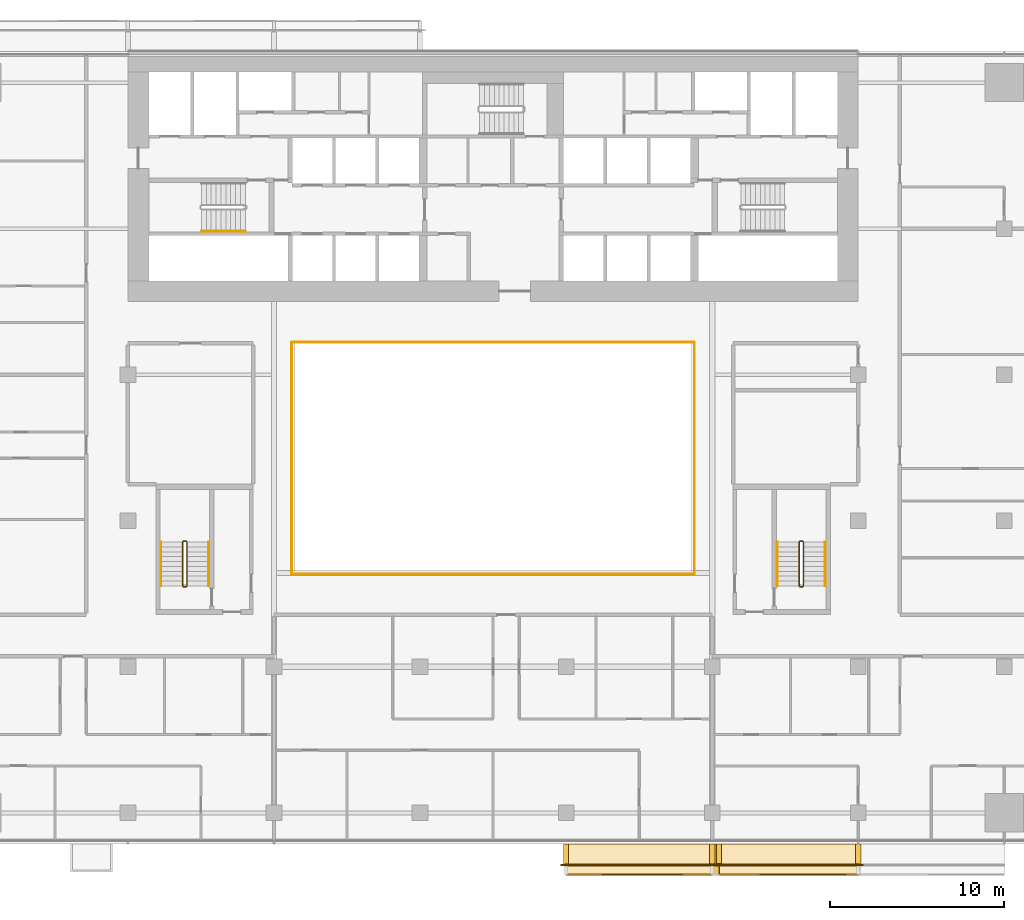
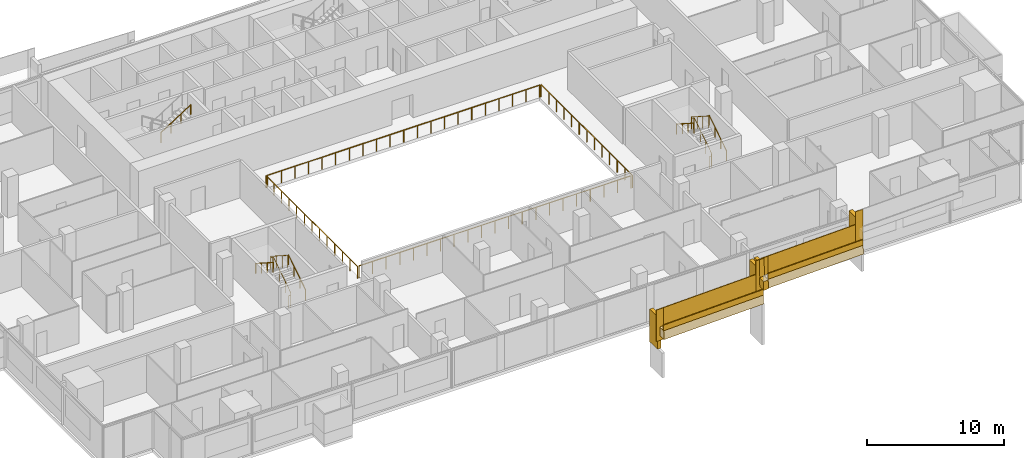
# One storey, part 25 of 27: 18 railings, 9 coverings.
"""IFC4 building model written with IfcOpenShell, lengths in metres."""

from ifc_helpers import new_model, si_unit, direction, frame, origin, origin_2d, place, context, subcontext, project, spatial, polyline, rectangle, circle, outline, extrude, material, layer, layer_set, type_object, element, save


model = new_model("IFC4")

# Units and contexts
model_context = context("Model", 3, precision=1e-05, world=origin(), true_north=direction((0.0, 1.0)))
body_context = subcontext(model_context, "Body", "Model", "MODEL_VIEW")
ifc_project = project(units=[si_unit("LENGTHUNIT", "METRE"), si_unit("AREAUNIT", "SQUARE_METRE"), si_unit("VOLUMEUNIT", "CUBIC_METRE"), si_unit("PLANEANGLEUNIT", "RADIAN"), si_unit("MASSUNIT", "GRAM", prefix="KILO")], contexts=[model_context])

# Site, building, storey
site_placement = place(None, origin())
site = spatial("IfcSite", under=ifc_project, at=site_placement, CompositionType="ELEMENT")
building_placement = place(site_placement, origin())
building = spatial("IfcBuilding", under=site, at=building_placement, Name="Saffron Gate Tower", CompositionType="ELEMENT")
storey_placement = place(building_placement, frame((0.0, 0.0, 66.0)))
storey = spatial("IfcBuildingStorey", under=building, at=storey_placement, Name="L15", CompositionType="ELEMENT", Elevation=66.0)

# Railings
ifc_material_1 = material(Name="Stainless steel and laminated glass", Category="steel")
railing_type_1 = type_object("IfcRailingType", Name="AG1 Atrium edge guard 1100", PredefinedType="GUARDRAIL", material=ifc_material_1)
railing_1_placement = place(storey_placement, frame((76.02001953125, 45.5400390625, 0.0)))
element("IfcRailing", 1, at=railing_1_placement, inside=storey, type_object=railing_type_1, Name="Guard A3-1", PredefinedType="GUARDRAIL", context=body_context, shape_type="SweptSolid", body=[
    extrude(circle(Radius=0.02392578125, at=origin_2d()), frame((0.0, 0.0, 1.076171875), z_axis=(0.0, 1.0, 0.0), x_axis=(-1.0, 0.0, 0.0)), (0.0, 0.0, 1.0), 13.320068359375),
    extrude(circle(Radius=0.02099609375, at=origin_2d()), origin(), (0.0, 0.0, 1.0), 1.052001953125),
    extrude(circle(Radius=0.02099609375, at=origin_2d()), frame((0.0, 1.110107421875, 0.0)), (0.0, 0.0, 1.0), 1.052001953125),
    extrude(circle(Radius=0.02099609375, at=origin_2d()), frame((0.0, 2.219970703125, 0.0)), (0.0, 0.0, 1.0), 1.052001953125),
    extrude(circle(Radius=0.02099609375, at=origin_2d()), frame((0.0, 3.330078125, 0.0)), (0.0, 0.0, 1.0), 1.052001953125),
    extrude(circle(Radius=0.02099609375, at=origin_2d()), frame((0.0, 4.43994140625, 0.0)), (0.0, 0.0, 1.0), 1.052001953125),
    extrude(circle(Radius=0.02099609375, at=origin_2d()), frame((0.0, 5.550048828125, 0.0)), (0.0, 0.0, 1.0), 1.052001953125),
    extrude(circle(Radius=0.02099609375, at=origin_2d()), frame((0.0, 6.66015625, 0.0)), (0.0, 0.0, 1.0), 1.052001953125),
    extrude(circle(Radius=0.02099609375, at=origin_2d()), frame((0.0, 7.77001953125, 0.0)), (0.0, 0.0, 1.0), 1.052001953125),
    extrude(circle(Radius=0.02099609375, at=origin_2d()), frame((0.0, 8.880126953125, 0.0)), (0.0, 0.0, 1.0), 1.052001953125),
    extrude(circle(Radius=0.02099609375, at=origin_2d()), frame((0.0, 9.989990234375, 0.0)), (0.0, 0.0, 1.0), 1.052001953125),
    extrude(circle(Radius=0.02099609375, at=origin_2d()), frame((0.0, 11.10009765625, 0.0)), (0.0, 0.0, 1.0), 1.052001953125),
    extrude(circle(Radius=0.02099609375, at=origin_2d()), frame((0.0, 12.2099609375, 0.0)), (0.0, 0.0, 1.0), 1.052001953125),
    extrude(circle(Radius=0.02099609375, at=origin_2d()), frame((0.0, 13.320068359375, 0.0)), (0.0, 0.0, 1.0), 1.052001953125),
])
railing_2_placement = place(storey_placement, frame((76.139892578125, 58.860107421875, 0.0)))
element("IfcRailing", 2, at=railing_2_placement, inside=storey, type_object=railing_type_1, Name="Guard A3-2", PredefinedType="GUARDRAIL", context=body_context, shape_type="SweptSolid", body=[
    extrude(circle(Radius=0.02392578125, at=origin_2d()), frame((0.0, 0.0, 1.076171875), z_axis=(1.0, 0.0, 0.0), x_axis=(0.0, 1.0, 0.0)), (0.0, 0.0, 1.0), 22.920166015625),
    extrude(circle(Radius=0.02099609375, at=origin_2d()), origin(), (0.0, 0.0, 1.0), 1.052001953125),
    extrude(circle(Radius=0.02099609375, at=origin_2d()), frame((1.14599609375, 0.0, 0.0)), (0.0, 0.0, 1.0), 1.052001953125),
    extrude(circle(Radius=0.02099609375, at=origin_2d()), frame((2.2919921875, 0.0, 0.0)), (0.0, 0.0, 1.0), 1.052001953125),
    extrude(circle(Radius=0.02099609375, at=origin_2d()), frame((3.43798828125, 0.0, 0.0)), (0.0, 0.0, 1.0), 1.052001953125),
    extrude(circle(Radius=0.02099609375, at=origin_2d()), frame((4.583984375, 0.0, 0.0)), (0.0, 0.0, 1.0), 1.052001953125),
    extrude(circle(Radius=0.02099609375, at=origin_2d()), frame((5.72998046875, 0.0, 0.0)), (0.0, 0.0, 1.0), 1.052001953125),
    extrude(circle(Radius=0.02099609375, at=origin_2d()), frame((6.8759765625, 0.0, 0.0)), (0.0, 0.0, 1.0), 1.052001953125),
    extrude(circle(Radius=0.02099609375, at=origin_2d()), frame((8.02197265625, 0.0, 0.0)), (0.0, 0.0, 1.0), 1.052001953125),
    extrude(circle(Radius=0.02099609375, at=origin_2d()), frame((9.16796875, 0.0, 0.0)), (0.0, 0.0, 1.0), 1.052001953125),
    extrude(circle(Radius=0.02099609375, at=origin_2d()), frame((10.31396484375, 0.0, 0.0)), (0.0, 0.0, 1.0), 1.052001953125),
    extrude(circle(Radius=0.02099609375, at=origin_2d()), frame((11.4599609375, 0.0, 0.0)), (0.0, 0.0, 1.0), 1.052001953125),
    extrude(circle(Radius=0.02099609375, at=origin_2d()), frame((12.606201171875, 0.0, 0.0)), (0.0, 0.0, 1.0), 1.052001953125),
    extrude(circle(Radius=0.02099609375, at=origin_2d()), frame((13.752197265625, 0.0, 0.0)), (0.0, 0.0, 1.0), 1.052001953125),
    extrude(circle(Radius=0.02099609375, at=origin_2d()), frame((14.898193359375, 0.0, 0.0)), (0.0, 0.0, 1.0), 1.052001953125),
    extrude(circle(Radius=0.02099609375, at=origin_2d()), frame((16.044189453125, 0.0, 0.0)), (0.0, 0.0, 1.0), 1.052001953125),
    extrude(circle(Radius=0.02099609375, at=origin_2d()), frame((17.190185546875, 0.0, 0.0)), (0.0, 0.0, 1.0), 1.052001953125),
    extrude(circle(Radius=0.02099609375, at=origin_2d()), frame((18.336181640625, 0.0, 0.0)), (0.0, 0.0, 1.0), 1.052001953125),
    extrude(circle(Radius=0.02099609375, at=origin_2d()), frame((19.482177734375, 0.0, 0.0)), (0.0, 0.0, 1.0), 1.052001953125),
    extrude(circle(Radius=0.02099609375, at=origin_2d()), frame((20.628173828125, 0.0, 0.0)), (0.0, 0.0, 1.0), 1.052001953125),
    extrude(circle(Radius=0.02099609375, at=origin_2d()), frame((21.774169921875, 0.0, 0.0)), (0.0, 0.0, 1.0), 1.052001953125),
    extrude(circle(Radius=0.02099609375, at=origin_2d()), frame((22.920166015625, 0.0, 0.0)), (0.0, 0.0, 1.0), 1.052001953125),
])
railing_3_placement = place(storey_placement, frame((99.179931640625, 58.860107421875, 0.0)))
element("IfcRailing", 3, at=railing_3_placement, inside=storey, type_object=railing_type_1, Name="Guard A3-3", PredefinedType="GUARDRAIL", context=body_context, shape_type="SweptSolid", body=[
    extrude(circle(Radius=0.02392578125, at=origin_2d()), frame((0.0, 0.0, 1.076171875), z_axis=(0.0, -1.0, 0.0), x_axis=(1.0, 0.0, 0.0)), (0.0, 0.0, 1.0), 13.320068359375),
    extrude(circle(Radius=0.02099609375, at=origin_2d()), origin(), (0.0, 0.0, 1.0), 1.052001953125),
    extrude(circle(Radius=0.02099609375, at=origin_2d()), frame((0.0, -1.110107421875, 0.0)), (0.0, 0.0, 1.0), 1.052001953125),
    extrude(circle(Radius=0.02099609375, at=origin_2d()), frame((0.0, -2.219970703125, 0.0)), (0.0, 0.0, 1.0), 1.052001953125),
    extrude(circle(Radius=0.02099609375, at=origin_2d()), frame((0.0, -3.330078125, 0.0)), (0.0, 0.0, 1.0), 1.052001953125),
    extrude(circle(Radius=0.02099609375, at=origin_2d()), frame((0.0, -4.43994140625, 0.0)), (0.0, 0.0, 1.0), 1.052001953125),
    extrude(circle(Radius=0.02099609375, at=origin_2d()), frame((0.0, -5.550048828125, 0.0)), (0.0, 0.0, 1.0), 1.052001953125),
    extrude(circle(Radius=0.02099609375, at=origin_2d()), frame((0.0, -6.66015625, 0.0)), (0.0, 0.0, 1.0), 1.052001953125),
    extrude(circle(Radius=0.02099609375, at=origin_2d()), frame((0.0, -7.77001953125, 0.0)), (0.0, 0.0, 1.0), 1.052001953125),
    extrude(circle(Radius=0.02099609375, at=origin_2d()), frame((0.0, -8.880126953125, 0.0)), (0.0, 0.0, 1.0), 1.052001953125),
    extrude(circle(Radius=0.02099609375, at=origin_2d()), frame((0.0, -9.989990234375, 0.0)), (0.0, 0.0, 1.0), 1.052001953125),
    extrude(circle(Radius=0.02099609375, at=origin_2d()), frame((0.0, -11.10009765625, 0.0)), (0.0, 0.0, 1.0), 1.052001953125),
    extrude(circle(Radius=0.02099609375, at=origin_2d()), frame((0.0, -12.2099609375, 0.0)), (0.0, 0.0, 1.0), 1.052001953125),
    extrude(circle(Radius=0.02099609375, at=origin_2d()), frame((0.0, -13.320068359375, 0.0)), (0.0, 0.0, 1.0), 1.052001953125),
])
railing_4_placement = place(storey_placement, frame((99.06005859375, 45.5400390625, 0.0)))
element("IfcRailing", 4, at=railing_4_placement, inside=storey, type_object=railing_type_1, Name="Guard A3-4", PredefinedType="GUARDRAIL", context=body_context, shape_type="SweptSolid", body=[
    extrude(circle(Radius=0.02392578125, at=origin_2d()), frame((0.0, 0.0, 1.076171875), z_axis=(-1.0, 0.0, 0.0), x_axis=(0.0, -1.0, 0.0)), (0.0, 0.0, 1.0), 22.920166015625),
    extrude(circle(Radius=0.02099609375, at=origin_2d()), origin(), (0.0, 0.0, 1.0), 1.052001953125),
    extrude(circle(Radius=0.02099609375, at=origin_2d()), frame((-1.14599609375, 0.0, 0.0)), (0.0, 0.0, 1.0), 1.052001953125),
    extrude(circle(Radius=0.02099609375, at=origin_2d()), frame((-2.2919921875, 0.0, 0.0)), (0.0, 0.0, 1.0), 1.052001953125),
    extrude(circle(Radius=0.02099609375, at=origin_2d()), frame((-3.43798828125, 0.0, 0.0)), (0.0, 0.0, 1.0), 1.052001953125),
    extrude(circle(Radius=0.02099609375, at=origin_2d()), frame((-4.583984375, 0.0, 0.0)), (0.0, 0.0, 1.0), 1.052001953125),
    extrude(circle(Radius=0.02099609375, at=origin_2d()), frame((-5.72998046875, 0.0, 0.0)), (0.0, 0.0, 1.0), 1.052001953125),
    extrude(circle(Radius=0.02099609375, at=origin_2d()), frame((-6.8759765625, 0.0, 0.0)), (0.0, 0.0, 1.0), 1.052001953125),
    extrude(circle(Radius=0.02099609375, at=origin_2d()), frame((-8.02197265625, 0.0, 0.0)), (0.0, 0.0, 1.0), 1.052001953125),
    extrude(circle(Radius=0.02099609375, at=origin_2d()), frame((-9.16796875, 0.0, 0.0)), (0.0, 0.0, 1.0), 1.052001953125),
    extrude(circle(Radius=0.02099609375, at=origin_2d()), frame((-10.31396484375, 0.0, 0.0)), (0.0, 0.0, 1.0), 1.052001953125),
    extrude(circle(Radius=0.02099609375, at=origin_2d()), frame((-11.4599609375, 0.0, 0.0)), (0.0, 0.0, 1.0), 1.052001953125),
    extrude(circle(Radius=0.02099609375, at=origin_2d()), frame((-12.606201171875, 0.0, 0.0)), (0.0, 0.0, 1.0), 1.052001953125),
    extrude(circle(Radius=0.02099609375, at=origin_2d()), frame((-13.752197265625, 0.0, 0.0)), (0.0, 0.0, 1.0), 1.052001953125),
    extrude(circle(Radius=0.02099609375, at=origin_2d()), frame((-14.898193359375, 0.0, 0.0)), (0.0, 0.0, 1.0), 1.052001953125),
    extrude(circle(Radius=0.02099609375, at=origin_2d()), frame((-16.044189453125, 0.0, 0.0)), (0.0, 0.0, 1.0), 1.052001953125),
    extrude(circle(Radius=0.02099609375, at=origin_2d()), frame((-17.190185546875, 0.0, 0.0)), (0.0, 0.0, 1.0), 1.052001953125),
    extrude(circle(Radius=0.02099609375, at=origin_2d()), frame((-18.336181640625, 0.0, 0.0)), (0.0, 0.0, 1.0), 1.052001953125),
    extrude(circle(Radius=0.02099609375, at=origin_2d()), frame((-19.482177734375, 0.0, 0.0)), (0.0, 0.0, 1.0), 1.052001953125),
    extrude(circle(Radius=0.02099609375, at=origin_2d()), frame((-20.628173828125, 0.0, 0.0)), (0.0, 0.0, 1.0), 1.052001953125),
    extrude(circle(Radius=0.02099609375, at=origin_2d()), frame((-21.774169921875, 0.0, 0.0)), (0.0, 0.0, 1.0), 1.052001953125),
    extrude(circle(Radius=0.02099609375, at=origin_2d()), frame((-22.920166015625, 0.0, 0.0)), (0.0, 0.0, 1.0), 1.052001953125),
])
railing_type_2 = type_object("IfcRailingType", Name="CR1 Stair guard 1100", PredefinedType="GUARDRAIL", material=ifc_material_1)
railing_5_placement = place(storey_placement, frame((69.800048828125, 44.800048828125, 0.0)))
element("IfcRailing", 5, at=railing_5_placement, inside=storey, type_object=railing_type_2, Name="L15 ST-D stair guard 1", PredefinedType="GUARDRAIL", context=body_context, shape_type="SweptSolid", body=[
    extrude(circle(Radius=0.02392578125, at=origin_2d()), frame((0.0, 0.0, 1.076171875), z_axis=(1.0, 0.0, 0.0), x_axis=(0.0, 1.0, 0.0)), (0.0, 0.0, 1.0), 0.14990234375),
    extrude(circle(Radius=0.02392578125, at=origin_2d()), frame((0.14990234375, 0.0, 1.076171875), z_axis=(0.258847668887, 0.258847668887, 0.930588936439), x_axis=(-0.707106781187, 0.707106781187, 0.0)), (0.0, 0.0, 1.0), 0.193359375),
    extrude(circle(Radius=0.02392578125, at=origin_2d()), frame((0.199951171875, 0.050048828125, 1.255859375), z_axis=(0.0, 0.841162588446, 0.540782303519), x_axis=(-1.0, 0.0, 0.0)), (0.0, 0.0, 1.0), 2.995849609375),
    extrude(circle(Radius=0.02392578125, at=origin_2d()), frame((0.199951171875, 2.570068359375, 2.8759765625), z_axis=(-0.708833529934, 0.705375805398, 0.0), x_axis=(-0.705375805398, -0.708833529934, 0.0)), (0.0, 0.0, 1.0), 0.070556640625),
    extrude(circle(Radius=0.02392578125, at=origin_2d()), frame((0.14990234375, 2.619873046875, 2.8759765625), z_axis=(-1.0, 0.0, 0.0), x_axis=(0.0, -1.0, 0.0)), (0.0, 0.0, 1.0), 0.14990234375),
    extrude(circle(Radius=0.02392578125, at=origin_2d()), frame((0.0, 2.619873046875, 2.8759765625), z_axis=(-0.258932105505, -0.257669022063, 0.930892496375), x_axis=(0.705375805398, -0.708833529934, 0.0)), (0.0, 0.0, 1.0), 0.193359375),
    extrude(circle(Radius=0.02392578125, at=origin_2d()), frame((-0.050048828125, 2.570068359375, 3.05615234375), z_axis=(0.0, -0.841162588446, 0.540782303519), x_axis=(1.0, 0.0, 0.0)), (0.0, 0.0, 1.0), 2.995849609375),
    extrude(circle(Radius=0.02099609375, at=origin_2d()), origin(), (0.0, 0.0, 1.0), 1.052001953125),
    extrude(circle(Radius=0.02099609375, at=origin_2d()), frame((0.14990234375, 0.0, 0.0)), (0.0, 0.0, 1.0), 1.052001953125),
    extrude(circle(Radius=0.02099609375, at=origin_2d()), frame((0.199951171875, 0.050048828125, 0.179931640625)), (0.0, 0.0, 1.0), 1.052001953125),
    extrude(circle(Radius=0.02099609375, at=origin_2d()), frame((0.199951171875, 0.89013671875, 0.719970703125)), (0.0, 0.0, 1.0), 1.052001953125),
    extrude(circle(Radius=0.02099609375, at=origin_2d()), frame((0.199951171875, 1.72998046875, 1.260009765625)), (0.0, 0.0, 1.0), 1.052001953125),
    extrude(circle(Radius=0.02099609375, at=origin_2d()), frame((0.199951171875, 2.570068359375, 1.800048828125)), (0.0, 0.0, 1.0), 1.052001953125),
    extrude(circle(Radius=0.02099609375, at=origin_2d()), frame((0.14990234375, 2.619873046875, 1.800048828125)), (0.0, 0.0, 1.0), 1.052001953125),
    extrude(circle(Radius=0.02099609375, at=origin_2d()), frame((0.0, 2.619873046875, 1.800048828125)), (0.0, 0.0, 1.0), 1.052001953125),
    extrude(circle(Radius=0.02099609375, at=origin_2d()), frame((-0.050048828125, 2.570068359375, 1.97998046875)), (0.0, 0.0, 1.0), 1.052001953125),
    extrude(circle(Radius=0.02099609375, at=origin_2d()), frame((-0.050048828125, 1.72998046875, 2.52001953125)), (0.0, 0.0, 1.0), 1.052001953125),
    extrude(circle(Radius=0.02099609375, at=origin_2d()), frame((-0.050048828125, 0.89013671875, 3.06005859375)), (0.0, 0.0, 1.0), 1.052001953125),
    extrude(circle(Radius=0.02099609375, at=origin_2d()), frame((-0.050048828125, 0.050048828125, 3.60009765625)), (0.0, 0.0, 1.0), 1.052001953125),
])
railing_6_placement = place(storey_placement, frame((105.25, 44.800048828125, 0.0)))
element("IfcRailing", 6, at=railing_6_placement, inside=storey, type_object=railing_type_2, Name="L15 ST-E stair guard 1", PredefinedType="GUARDRAIL", context=body_context, shape_type="SweptSolid", body=[
    extrude(circle(Radius=0.02392578125, at=origin_2d()), frame((0.0, 0.0, 1.076171875), z_axis=(1.0, 0.0, 0.0), x_axis=(0.0, 1.0, 0.0)), (0.0, 0.0, 1.0), 0.14990234375),
    extrude(circle(Radius=0.02392578125, at=origin_2d()), frame((0.14990234375, 0.0, 1.076171875), z_axis=(0.258847668887, 0.258847668887, 0.930588936439), x_axis=(-0.707106781187, 0.707106781187, 0.0)), (0.0, 0.0, 1.0), 0.193359375),
    extrude(circle(Radius=0.02392578125, at=origin_2d()), frame((0.199951171875, 0.050048828125, 1.255859375), z_axis=(0.0, 0.841162588446, 0.540782303519), x_axis=(-1.0, 0.0, 0.0)), (0.0, 0.0, 1.0), 2.995849609375),
    extrude(circle(Radius=0.02392578125, at=origin_2d()), frame((0.199951171875, 2.570068359375, 2.8759765625), z_axis=(-0.708833529934, 0.705375805398, 0.0), x_axis=(-0.705375805398, -0.708833529934, 0.0)), (0.0, 0.0, 1.0), 0.070556640625),
    extrude(circle(Radius=0.02392578125, at=origin_2d()), frame((0.14990234375, 2.619873046875, 2.8759765625), z_axis=(-1.0, 0.0, 0.0), x_axis=(0.0, -1.0, 0.0)), (0.0, 0.0, 1.0), 0.14990234375),
    extrude(circle(Radius=0.02392578125, at=origin_2d()), frame((0.0, 2.619873046875, 2.8759765625), z_axis=(-0.258932105505, -0.257669022063, 0.930892496375), x_axis=(0.705375805398, -0.708833529934, 0.0)), (0.0, 0.0, 1.0), 0.193359375),
    extrude(circle(Radius=0.02392578125, at=origin_2d()), frame((-0.050048828125, 2.570068359375, 3.05615234375), z_axis=(0.0, -0.841162588446, 0.540782303519), x_axis=(1.0, 0.0, 0.0)), (0.0, 0.0, 1.0), 2.995849609375),
    extrude(circle(Radius=0.02099609375, at=origin_2d()), origin(), (0.0, 0.0, 1.0), 1.052001953125),
    extrude(circle(Radius=0.02099609375, at=origin_2d()), frame((0.14990234375, 0.0, 0.0)), (0.0, 0.0, 1.0), 1.052001953125),
    extrude(circle(Radius=0.02099609375, at=origin_2d()), frame((0.199951171875, 0.050048828125, 0.179931640625)), (0.0, 0.0, 1.0), 1.052001953125),
    extrude(circle(Radius=0.02099609375, at=origin_2d()), frame((0.199951171875, 0.89013671875, 0.719970703125)), (0.0, 0.0, 1.0), 1.052001953125),
    extrude(circle(Radius=0.02099609375, at=origin_2d()), frame((0.199951171875, 1.72998046875, 1.260009765625)), (0.0, 0.0, 1.0), 1.052001953125),
    extrude(circle(Radius=0.02099609375, at=origin_2d()), frame((0.199951171875, 2.570068359375, 1.800048828125)), (0.0, 0.0, 1.0), 1.052001953125),
    extrude(circle(Radius=0.02099609375, at=origin_2d()), frame((0.14990234375, 2.619873046875, 1.800048828125)), (0.0, 0.0, 1.0), 1.052001953125),
    extrude(circle(Radius=0.02099609375, at=origin_2d()), frame((0.0, 2.619873046875, 1.800048828125)), (0.0, 0.0, 1.0), 1.052001953125),
    extrude(circle(Radius=0.02099609375, at=origin_2d()), frame((-0.050048828125, 2.570068359375, 1.97998046875)), (0.0, 0.0, 1.0), 1.052001953125),
    extrude(circle(Radius=0.02099609375, at=origin_2d()), frame((-0.050048828125, 1.72998046875, 2.52001953125)), (0.0, 0.0, 1.0), 1.052001953125),
    extrude(circle(Radius=0.02099609375, at=origin_2d()), frame((-0.050048828125, 0.89013671875, 3.06005859375)), (0.0, 0.0, 1.0), 1.052001953125),
    extrude(circle(Radius=0.02099609375, at=origin_2d()), frame((-0.050048828125, 0.050048828125, 3.60009765625)), (0.0, 0.0, 1.0), 1.052001953125),
])
ifc_material_2 = material(Name="Stainless steel", Category="steel")
railing_type_3 = type_object("IfcRailingType", Name="CR2 Stair handrail 900", PredefinedType="HANDRAIL", material=ifc_material_2)
railing_7_placement = place(storey_placement, frame((70.830078125, 65.25, 1.97998046875)))
element("IfcRailing", 7, at=railing_7_placement, inside=storey, type_object=railing_type_3, Name="L15 ST-A stair handrail 2", PredefinedType="HANDRAIL", context=body_context, shape_type="SweptSolid", body=[
    extrude(circle(Radius=0.02392578125, at=origin_2d()), frame((0.0, 0.0, 0.8759765625), z_axis=(0.841162588446, 0.0, 0.540782303519), x_axis=(0.0, 1.0, 0.0)), (0.0, 0.0, 1.0), 2.995849609375),
    extrude(circle(Radius=0.02099609375, at=origin_2d()), origin(), (0.0, 0.0, 1.0), 0.851806640625),
    extrude(circle(Radius=0.02099609375, at=origin_2d()), frame((0.840087890625, 0.0, 0.5400390625)), (0.0, 0.0, 1.0), 0.851806640625),
    extrude(circle(Radius=0.02099609375, at=origin_2d()), frame((1.679931640625, 0.0, 1.080078125)), (0.0, 0.0, 1.0), 0.851806640625),
    extrude(circle(Radius=0.02099609375, at=origin_2d()), frame((2.52001953125, 0.0, 1.6201171875)), (0.0, 0.0, 1.0), 0.851806640625),
])
railing_8_placement = place(storey_placement, frame((71.25, 44.85009765625, 0.179931640625)))
element("IfcRailing", 8, at=railing_8_placement, inside=storey, type_object=railing_type_3, Name="L15 ST-D stair handrail 1", PredefinedType="HANDRAIL", context=body_context, shape_type="SweptSolid", body=[
    extrude(circle(Radius=0.02392578125, at=origin_2d()), frame((0.0, 0.0, 0.8759765625), z_axis=(0.0, 0.841162588446, 0.540782303519), x_axis=(-1.0, 0.0, 0.0)), (0.0, 0.0, 1.0), 2.995849609375),
    extrude(circle(Radius=0.02099609375, at=origin_2d()), origin(), (0.0, 0.0, 1.0), 0.851806640625),
    extrude(circle(Radius=0.02099609375, at=origin_2d()), frame((0.0, 0.840087890625, 0.5400390625)), (0.0, 0.0, 1.0), 0.851806640625),
    extrude(circle(Radius=0.02099609375, at=origin_2d()), frame((0.0, 1.679931640625, 1.080078125)), (0.0, 0.0, 1.0), 0.851806640625),
    extrude(circle(Radius=0.02099609375, at=origin_2d()), frame((0.0, 2.52001953125, 1.6201171875)), (0.0, 0.0, 1.0), 0.851806640625),
])
railing_9_placement = place(storey_placement, frame((68.5, 47.3701171875, 1.97998046875)))
element("IfcRailing", 9, at=railing_9_placement, inside=storey, type_object=railing_type_3, Name="L15 ST-D stair handrail 2", PredefinedType="HANDRAIL", context=body_context, shape_type="SweptSolid", body=[
    extrude(circle(Radius=0.02392578125, at=origin_2d()), frame((0.0, 0.0, 0.8759765625), z_axis=(0.0, -0.841162588446, 0.540782303519), x_axis=(1.0, 0.0, 0.0)), (0.0, 0.0, 1.0), 2.995849609375),
    extrude(circle(Radius=0.02099609375, at=origin_2d()), origin(), (0.0, 0.0, 1.0), 0.851806640625),
    extrude(circle(Radius=0.02099609375, at=origin_2d()), frame((0.0, -0.840087890625, 0.5400390625)), (0.0, 0.0, 1.0), 0.851806640625),
    extrude(circle(Radius=0.02099609375, at=origin_2d()), frame((0.0, -1.679931640625, 1.080078125)), (0.0, 0.0, 1.0), 0.851806640625),
    extrude(circle(Radius=0.02099609375, at=origin_2d()), frame((0.0, -2.52001953125, 1.6201171875)), (0.0, 0.0, 1.0), 0.851806640625),
])
railing_10_placement = place(storey_placement, frame((106.699951171875, 44.85009765625, 0.179931640625)))
element("IfcRailing", 10, at=railing_10_placement, inside=storey, type_object=railing_type_3, Name="L15 ST-E stair handrail 1", PredefinedType="HANDRAIL", context=body_context, shape_type="SweptSolid", body=[
    extrude(circle(Radius=0.02392578125, at=origin_2d()), frame((0.0, 0.0, 0.8759765625), z_axis=(0.0, 0.841162588446, 0.540782303519), x_axis=(-1.0, 0.0, 0.0)), (0.0, 0.0, 1.0), 2.995849609375),
    extrude(circle(Radius=0.02099609375, at=origin_2d()), origin(), (0.0, 0.0, 1.0), 0.851806640625),
    extrude(circle(Radius=0.02099609375, at=origin_2d()), frame((0.0, 0.840087890625, 0.5400390625)), (0.0, 0.0, 1.0), 0.851806640625),
    extrude(circle(Radius=0.02099609375, at=origin_2d()), frame((0.0, 1.679931640625, 1.080078125)), (0.0, 0.0, 1.0), 0.851806640625),
    extrude(circle(Radius=0.02099609375, at=origin_2d()), frame((0.0, 2.52001953125, 1.6201171875)), (0.0, 0.0, 1.0), 0.851806640625),
])
railing_11_placement = place(storey_placement, frame((103.949951171875, 47.3701171875, 1.97998046875)))
element("IfcRailing", 11, at=railing_11_placement, inside=storey, type_object=railing_type_3, Name="L15 ST-E stair handrail 2", PredefinedType="HANDRAIL", context=body_context, shape_type="SweptSolid", body=[
    extrude(circle(Radius=0.02392578125, at=origin_2d()), frame((0.0, 0.0, 0.8759765625), z_axis=(0.0, -0.841162588446, 0.540782303519), x_axis=(1.0, 0.0, 0.0)), (0.0, 0.0, 1.0), 2.995849609375),
    extrude(circle(Radius=0.02099609375, at=origin_2d()), origin(), (0.0, 0.0, 1.0), 0.851806640625),
    extrude(circle(Radius=0.02099609375, at=origin_2d()), frame((0.0, -0.840087890625, 0.5400390625)), (0.0, 0.0, 1.0), 0.851806640625),
    extrude(circle(Radius=0.02099609375, at=origin_2d()), frame((0.0, -1.679931640625, 1.080078125)), (0.0, 0.0, 1.0), 0.851806640625),
    extrude(circle(Radius=0.02099609375, at=origin_2d()), frame((0.0, -2.52001953125, 1.6201171875)), (0.0, 0.0, 1.0), 0.851806640625),
])

# Coverings
ifc_material_3 = material(Name="Timber, thermally modified ash", Category="wood")
ifc_layer_1 = layer(ifc_material_3, 0.800048828125)
ifc_layer_set_1 = layer_set([ifc_layer_1], Name="LD1 ledge timber")
covering_type_1 = type_object("IfcCoveringType", Name="LD1 ledge timber", PredefinedType="CLADDING", material=ifc_layer_set_1)
covering_1_placement = place(storey_placement, frame((91.800048828125, 30.0, 0.32861328125), z_axis=(-0.028791175352, 0.0, 0.999585448184), x_axis=(0.999585448184, 0.0, 0.028791175352)))
element("IfcCovering", 12, at=covering_1_placement, inside=storey, type_object=covering_type_1, Name="LEDGE", PredefinedType="CLADDING", context=body_context, shape_type="SweptSolid", body=[
    extrude(outline(polyline([(0.0, 0.0), (8.403385982666892, 0.0), (8.403385982666892, -1.800048828125), (0.0, -1.800048828125), (0.0, 0.0)])), origin(), (0.0, 0.0, -1.0), 0.800048828125),
])
covering_2_placement = place(storey_placement, frame((100.199951171875, 30.0, 1.77099609375), z_axis=(-0.028664238881, 0.0, 0.999589096284), x_axis=(0.999589096284, 0.0, 0.028664238881)))
element("IfcCovering", 13, at=covering_2_placement, inside=storey, type_object=covering_type_1, Name="LEDGE", PredefinedType="CLADDING", context=body_context, shape_type="SweptSolid", body=[
    extrude(outline(polyline([(0.0, 0.0), (0.40031097364171886, 0.0), (0.40031097364171886, -1.8000488281250004), (0.0, -1.8000488281250004), (0.0, 0.0)])), origin(), (0.0, 0.0, -1.0), 0.800048828125),
])
covering_3_placement = place(storey_placement, frame((100.60009765625, 30.0, 1.839599609375), z_axis=(-0.028796646555, 0.0, 0.999585290582), x_axis=(0.999585290582, 0.0, 0.028796646555)))
element("IfcCovering", 14, at=covering_3_placement, inside=storey, type_object=covering_type_1, Name="LEDGE", PredefinedType="CLADDING", context=body_context, shape_type="SweptSolid", body=[
    extrude(outline(polyline([(0.0, 0.0), (8.003319051788862, 0.0), (8.003319051788862, -1.800048828125), (0.0, -1.800048828125), (0.0, 0.0)])), origin(), (0.0, 0.0, -1.0), 0.800048828125),
])
ifc_layer_2 = layer(ifc_material_3, 0.080078125)
ifc_layer_set_2 = layer_set([ifc_layer_2], Name="LD2 ledge planter trough")
covering_type_2 = type_object("IfcCoveringType", Name="LD2 ledge planter trough", PredefinedType="CLADDING", material=ifc_layer_set_2)
covering_4_placement = place(storey_placement, frame((91.800048828125, 28.199951171875, 0.32861328125), z_axis=(0.0, -1.0, 0.0), x_axis=(0.999585448184, 0.0, 0.028791175352)))
element("IfcCovering", 15, at=covering_4_placement, inside=storey, type_object=covering_type_2, Name="LEDGE planter trough", PredefinedType="CLADDING", context=body_context, shape_type="SweptSolid", body=[
    extrude(outline(polyline([(0.0, 0.0), (8.403385982666892, 0.0), (8.417781570342743, 0.49979272409216496), (0.014395587675851172, 0.4997927240921649), (0.0, 0.0)])), origin(), (0.0, 0.0, -1.0), 0.080078125),
])
covering_5_placement = place(storey_placement, frame((100.60009765625, 28.199951171875, 1.839599609375), z_axis=(0.0, -1.0, 0.0), x_axis=(0.999585290582, 0.0, 0.028796646555)))
element("IfcCovering", 16, at=covering_5_placement, inside=storey, type_object=covering_type_2, Name="LEDGE planter trough", PredefinedType="CLADDING", context=body_context, shape_type="SweptSolid", body=[
    extrude(outline(polyline([(0.0, 0.0), (8.003319051788862, 0.0), (8.017717375066283, 0.4997926452908234), (0.014398323277421184, 0.49979264529082346), (0.0, 0.0)])), origin(), (0.0, 0.0, -1.0), 0.080078125),
])
ifc_layer_3 = layer(ifc_material_3, 0.300048828125)
ifc_layer_set_3 = layer_set([ifc_layer_3], Name="LD3 ledge riser fin")
covering_type_3 = type_object("IfcCoveringType", Name="LD3 ledge riser fin", PredefinedType="CLADDING", material=ifc_layer_set_3)
for number, where, z_axis, x_axis, name in (
    (17, (91.800048828125, 29.43994140625, -1.671875), (0.0, 0.0, 1.0), (1.0, 0.0, 0.0), "LEDGE riser fin"),
    (18, (100.199951171875, 29.43994140625, -0.2294921875), (0.0, 0.0, 1.0), (1.0, 0.0, 0.0), "LEDGE riser fin"),
):
    element("IfcCovering", number, at=place(storey_placement, frame(where, z_axis=z_axis, x_axis=x_axis)), inside=storey, type_object=covering_type_3, Name=name, PredefinedType="CLADDING", context=body_context, shape_type="SweptSolid", body=[
        extrude(rectangle(XDim=0.300048828125, YDim=1.1201171875, at=origin_2d()), origin(), (0.0, 0.0, 1.0), 2.900390625),
    ])
covering_6_placement = place(storey_placement, frame((100.60009765625, 29.43994140625, 0.982421875), z_axis=(0.0, 0.0, 1.0), x_axis=(1.0, 0.0, 0.0)))
element("IfcCovering", 19, at=covering_6_placement, inside=storey, type_object=covering_type_3, Name="LEDGE riser fin", PredefinedType="CLADDING", context=body_context, shape_type="SweptSolid", body=[
    extrude(rectangle(XDim=0.300048828125, YDim=1.1201171875, at=origin_2d()), origin(), (0.0, 0.0, 1.0), 1.757080078125),
])
covering_7_placement = place(storey_placement, frame((108.60009765625, 29.43994140625, 1.27001953125), z_axis=(0.0, 0.0, 1.0), x_axis=(1.0, 0.0, 0.0)))
element("IfcCovering", 20, at=covering_7_placement, inside=storey, type_object=covering_type_3, Name="LEDGE riser fin", PredefinedType="CLADDING", context=body_context, shape_type="SweptSolid", body=[
    extrude(rectangle(XDim=0.300048828125, YDim=1.1201171875, at=origin_2d()), origin(), (0.0, 0.0, 1.0), 2.84326171875),
])

# Railings
railing_type_4 = type_object("IfcRailingType", Name="LG1 ledge balustrade", PredefinedType="BALUSTRADE", material=ifc_material_3)
railing_12_placement = place(storey_placement, frame((91.800048828125, 28.800048828125, 0.32861328125)))
element("IfcRailing", 21, at=railing_12_placement, inside=storey, type_object=railing_type_4, Name="LEDGE BALUSTRADE", PredefinedType="BALUSTRADE", context=body_context, shape_type="SweptSolid", body=[
    extrude(rectangle(XDim=0.06005859375, YDim=1.60009765625, at=origin_2d()), frame((0.0, 0.0, 0.800048828125), z_axis=(0.999585448184, 0.0, 0.028791175352), x_axis=(0.0, 1.0, 0.0)), (0.0, 0.0, 1.0), 8.4033203125),
])
railing_13_placement = place(storey_placement, frame((91.5, 28.800048828125, -0.871826171875)))
element("IfcRailing", 22, at=railing_13_placement, inside=storey, type_object=railing_type_4, Name="LEDGE BALUSTRADE", PredefinedType="BALUSTRADE", context=body_context, shape_type="SweptSolid", body=[
    extrude(rectangle(XDim=0.06005859375, YDim=2.80029296875, at=origin_2d()), frame((0.0, 0.0, 1.400146484375), z_axis=(1.0, 0.0, 0.0), x_axis=(0.0, 1.0, 0.0)), (0.0, 0.0, 1.0), 0.60009765625),
])
railing_14_placement = place(storey_placement, frame((100.199951171875, 28.800048828125, 1.77099609375)))
element("IfcRailing", 23, at=railing_14_placement, inside=storey, type_object=railing_type_4, Name="LEDGE BALUSTRADE", PredefinedType="BALUSTRADE", context=body_context, shape_type="SweptSolid", body=[
    extrude(rectangle(XDim=0.06005859375, YDim=1.60009765625, at=origin_2d()), frame((0.0, 0.0, 0.800048828125), z_axis=(0.999589096284, 0.0, 0.028664238881), x_axis=(0.0, 1.0, 0.0)), (0.0, 0.0, 1.0), 0.400390625),
])
railing_15_placement = place(storey_placement, frame((99.89990234375, 28.800048828125, 0.570556640625)))
element("IfcRailing", 24, at=railing_15_placement, inside=storey, type_object=railing_type_4, Name="LEDGE BALUSTRADE", PredefinedType="BALUSTRADE", context=body_context, shape_type="SweptSolid", body=[
    extrude(rectangle(XDim=0.06005859375, YDim=2.80029296875, at=origin_2d()), frame((0.0, 0.0, 1.400146484375), z_axis=(1.0, 0.0, 0.0), x_axis=(0.0, 1.0, 0.0)), (0.0, 0.0, 1.0), 0.60009765625),
])
railing_16_placement = place(storey_placement, frame((100.60009765625, 28.800048828125, 1.839599609375)))
element("IfcRailing", 25, at=railing_16_placement, inside=storey, type_object=railing_type_4, Name="LEDGE BALUSTRADE", PredefinedType="BALUSTRADE", context=body_context, shape_type="SweptSolid", body=[
    extrude(rectangle(XDim=0.06005859375, YDim=1.60009765625, at=origin_2d()), frame((0.0, 0.0, 0.800048828125), z_axis=(0.999585290582, 0.0, 0.028796646555), x_axis=(0.0, 1.0, 0.0)), (0.0, 0.0, 1.0), 8.00341796875),
])
railing_17_placement = place(storey_placement, frame((100.300048828125, 28.800048828125, 1.782470703125)))
element("IfcRailing", 26, at=railing_17_placement, inside=storey, type_object=railing_type_4, Name="LEDGE BALUSTRADE", PredefinedType="BALUSTRADE", context=body_context, shape_type="SweptSolid", body=[
    extrude(rectangle(XDim=0.06005859375, YDim=1.6572265625, at=origin_2d()), frame((0.0, 0.0, 0.82861328125), z_axis=(1.0, 0.0, 0.0), x_axis=(0.0, 1.0, 0.0)), (0.0, 0.0, 1.0), 0.599853515625),
])
railing_18_placement = place(storey_placement, frame((108.300048828125, 28.800048828125, 2.070068359375)))
element("IfcRailing", 27, at=railing_18_placement, inside=storey, type_object=railing_type_4, Name="LEDGE BALUSTRADE", PredefinedType="BALUSTRADE", context=body_context, shape_type="SweptSolid", body=[
    extrude(rectangle(XDim=0.06005859375, YDim=2.7431640625, at=origin_2d()), frame((0.0, 0.0, 1.37158203125), z_axis=(1.0, 0.0, 0.0), x_axis=(0.0, 1.0, 0.0)), (0.0, 0.0, 1.0), 0.599853515625),
])

save(model, "model.ifc")
